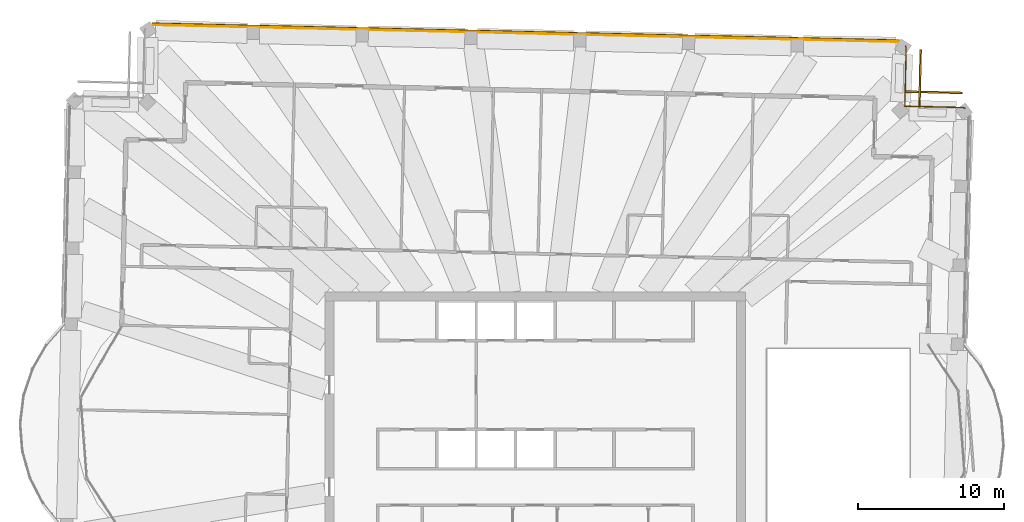
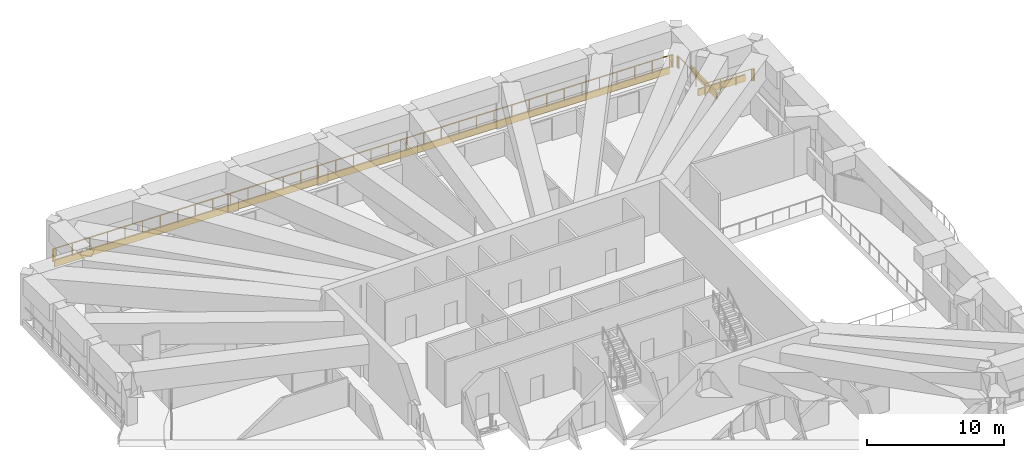
# One storey, part 21 of 21: 3 coverings, 2 railings.
"""IFC4 building model written with IfcOpenShell, lengths in metres."""

from ifc_helpers import new_model, si_unit, direction, frame, frame_2d, origin, origin_2d, place, context, subcontext, project, spatial, rectangle, extrude, material, layer, layer_set, type_object, element, save


model = new_model("IFC4")

# Units and contexts
model_context = context("Model", 3, precision=1e-05, world=origin(), true_north=direction((0.0, 1.0)))
body_context = subcontext(model_context, "Body", "Model", "MODEL_VIEW")
ifc_project = project(units=[si_unit("LENGTHUNIT", "METRE"), si_unit("AREAUNIT", "SQUARE_METRE"), si_unit("VOLUMEUNIT", "CUBIC_METRE"), si_unit("PLANEANGLEUNIT", "RADIAN"), si_unit("MASSUNIT", "GRAM", prefix="KILO")], contexts=[model_context])

# Site, building, storey
site_placement = place(None, origin())
site = spatial("IfcSite", under=ifc_project, at=site_placement, CompositionType="ELEMENT")
building_placement = place(site_placement, origin())
building = spatial("IfcBuilding", under=site, at=building_placement, Name="Mangrove Gate Tower", CompositionType="ELEMENT")
storey_placement = place(building_placement, frame((0.0, 0.0, 329.699951171875)))
storey = spatial("IfcBuildingStorey", under=building, at=storey_placement, Name="L84", CompositionType="ELEMENT", Elevation=329.699951171875)

# Railings
ifc_material_1 = material(Name="Stainless steel grade 316 with laminated glass infill", Category="steel")
railing_type = type_object("IfcRailingType", Name="Balcony guard 1100", PredefinedType="GUARDRAIL", material=ifc_material_1)
railing_1_placement = place(storey_placement, frame((-26.487060546875, 29.672119140625, 0.0)))
element("IfcRailing", 1, at=railing_1_placement, inside=storey, type_object=railing_type, Name="GUARD L84 T1.3", PredefinedType="GUARDRAIL", context=body_context, shape_type="SweptSolid", body=[
    extrude(rectangle(XDim=0.048095703125, YDim=0.048095703125, at=origin_2d()), frame((0.0, 0.0, 1.076171875), z_axis=(0.916361402872, 0.400352069216, 0.0), x_axis=(-0.400352069216, 0.916361402872, 0.0)), (0.0, 0.0, 1.0), 0.02734375),
    extrude(rectangle(XDim=0.048095703125, YDim=0.048095703125, at=origin_2d()), frame((0.025146484375, 0.010986328125, 1.076171875), z_axis=(0.947192919233, 0.320664269532, 0.0), x_axis=(-0.320664269532, 0.947192919233, 0.0)), (0.0, 0.0, 1.0), 0.049560546875),
    extrude(rectangle(XDim=0.048095703125, YDim=0.048095703125, at=origin_2d()), frame((0.072021484375, 0.02685546875, 1.076171875), z_axis=(0.974889210585, 0.222690428814, 0.0), x_axis=(-0.222690428814, 0.974889210585, 0.0)), (0.0, 0.0, 1.0), 0.04931640625),
    extrude(rectangle(XDim=0.048095703125, YDim=0.048095703125, at=origin_2d()), frame((0.1201171875, 0.037841796875, 1.076171875), z_axis=(0.991963300103, 0.126525931136, 0.0), x_axis=(-0.126525931136, 0.991963300103, 0.0)), (0.0, 0.0, 1.0), 0.04833984375),
    extrude(rectangle(XDim=0.048095703125, YDim=0.048095703125, at=origin_2d()), frame((0.16796875, 0.0439453125, 1.076171875), z_axis=(0.999802043895, 0.019896558087, 0.0), x_axis=(-0.019896558087, 0.999802043895, 0.0)), (0.0, 0.0, 1.0), 0.049072265625),
    extrude(rectangle(XDim=0.048095703125, YDim=0.048095703125, at=origin_2d()), frame((0.217041015625, 0.044921875, 1.076171875), z_axis=(0.999742381758, -0.02269735926, 0.0), x_axis=(0.02269735926, 0.999742381758, 0.0)), (0.0, 0.0, 1.0), 51.2001953125),
    extrude(rectangle(XDim=0.048095703125, YDim=0.048095703125, at=origin_2d()), frame((51.404052734375, -1.1171875, 1.076171875), z_axis=(0.998222615791, -0.059595380047, 0.0), x_axis=(0.059595380047, 0.998222615791, 0.0)), (0.0, 0.0, 1.0), 0.049072265625),
    extrude(rectangle(XDim=0.048095703125, YDim=0.048095703125, at=origin_2d()), frame((51.453125, -1.1201171875, 1.076171875), z_axis=(0.986659290868, -0.162798782993, 0.0), x_axis=(0.162798782993, 0.986659290868, 0.0)), (0.0, 0.0, 1.0), 0.049560546875),
    extrude(rectangle(XDim=0.048095703125, YDim=0.048095703125, at=origin_2d()), frame((51.501953125, -1.128173828125, 1.076171875), z_axis=(0.964301134924, -0.264808083684, 0.0), x_axis=(0.264808083684, 0.964301134924, 0.0)), (0.0, 0.0, 1.0), 0.048828125),
    extrude(rectangle(XDim=0.048095703125, YDim=0.048095703125, at=origin_2d()), frame((51.549072265625, -1.14111328125, 1.076171875), z_axis=(0.930510652004, -0.366264831108, 0.0), x_axis=(0.366264831108, 0.930510652004, 0.0)), (0.0, 0.0, 1.0), 0.04931640625),
    extrude(rectangle(XDim=0.048095703125, YDim=0.048095703125, at=origin_2d()), frame((51.594970703125, -1.1591796875, 1.076171875), z_axis=(0.889187463311, -0.457543063646, 0.0), x_axis=(0.457543063646, 0.889187463311, 0.0)), (0.0, 0.0, 1.0), 0.0283203125),
    extrude(rectangle(XDim=0.0419921875, YDim=0.0419921875, at=origin_2d()), origin(), (0.0, 0.0, 1.0), 1.052001953125),
    extrude(rectangle(XDim=0.0419921875, YDim=0.0419921875, at=origin_2d()), frame((0.025146484375, 0.010986328125, 0.0)), (0.0, 0.0, 1.0), 1.052001953125),
    extrude(rectangle(XDim=0.0419921875, YDim=0.0419921875, at=origin_2d()), frame((0.072021484375, 0.02685546875, 0.0)), (0.0, 0.0, 1.0), 1.052001953125),
    extrude(rectangle(XDim=0.0419921875, YDim=0.0419921875, at=origin_2d()), frame((0.1201171875, 0.037841796875, 0.0)), (0.0, 0.0, 1.0), 1.052001953125),
    extrude(rectangle(XDim=0.0419921875, YDim=0.0419921875, at=origin_2d()), frame((0.16796875, 0.0439453125, 0.0)), (0.0, 0.0, 1.0), 1.052001953125),
    extrude(rectangle(XDim=0.0419921875, YDim=0.0419921875, at=origin_2d()), frame((0.217041015625, 0.044921875, 0.0)), (0.0, 0.0, 1.0), 1.052001953125),
    extrude(rectangle(XDim=0.0419921875, YDim=0.0419921875, at=origin_2d()), frame((1.679443359375, 0.01171875, 0.0)), (0.0, 0.0, 1.0), 1.052001953125),
    extrude(rectangle(XDim=0.0419921875, YDim=0.0419921875, at=origin_2d()), frame((3.14208984375, -0.021484375, 0.0)), (0.0, 0.0, 1.0), 1.052001953125),
    extrude(rectangle(XDim=0.0419921875, YDim=0.0419921875, at=origin_2d()), frame((4.6044921875, -0.0546875, 0.0)), (0.0, 0.0, 1.0), 1.052001953125),
    extrude(rectangle(XDim=0.0419921875, YDim=0.0419921875, at=origin_2d()), frame((6.06689453125, -0.087890625, 0.0)), (0.0, 0.0, 1.0), 1.052001953125),
    extrude(rectangle(XDim=0.0419921875, YDim=0.0419921875, at=origin_2d()), frame((7.529541015625, -0.12109375, 0.0)), (0.0, 0.0, 1.0), 1.052001953125),
    extrude(rectangle(XDim=0.0419921875, YDim=0.0419921875, at=origin_2d()), frame((8.991943359375, -0.154296875, 0.0)), (0.0, 0.0, 1.0), 1.052001953125),
    extrude(rectangle(XDim=0.0419921875, YDim=0.0419921875, at=origin_2d()), frame((10.454345703125, -0.1875, 0.0)), (0.0, 0.0, 1.0), 1.052001953125),
    extrude(rectangle(XDim=0.0419921875, YDim=0.0419921875, at=origin_2d()), frame((11.9169921875, -0.220703125, 0.0)), (0.0, 0.0, 1.0), 1.052001953125),
    extrude(rectangle(XDim=0.0419921875, YDim=0.0419921875, at=origin_2d()), frame((13.37939453125, -0.25390625, 0.0)), (0.0, 0.0, 1.0), 1.052001953125),
    extrude(rectangle(XDim=0.0419921875, YDim=0.0419921875, at=origin_2d()), frame((14.841796875, -0.287109375, 0.0)), (0.0, 0.0, 1.0), 1.052001953125),
    extrude(rectangle(XDim=0.0419921875, YDim=0.0419921875, at=origin_2d()), frame((16.304443359375, -0.3203125, 0.0)), (0.0, 0.0, 1.0), 1.052001953125),
    extrude(rectangle(XDim=0.0419921875, YDim=0.0419921875, at=origin_2d()), frame((17.766845703125, -0.353515625, 0.0)), (0.0, 0.0, 1.0), 1.052001953125),
    extrude(rectangle(XDim=0.0419921875, YDim=0.0419921875, at=origin_2d()), frame((19.229248046875, -0.38671875, 0.0)), (0.0, 0.0, 1.0), 1.052001953125),
    extrude(rectangle(XDim=0.0419921875, YDim=0.0419921875, at=origin_2d()), frame((20.69189453125, -0.419921875, 0.0)), (0.0, 0.0, 1.0), 1.052001953125),
    extrude(rectangle(XDim=0.0419921875, YDim=0.0419921875, at=origin_2d()), frame((22.154296875, -0.453125, 0.0)), (0.0, 0.0, 1.0), 1.052001953125),
    extrude(rectangle(XDim=0.0419921875, YDim=0.0419921875, at=origin_2d()), frame((23.61669921875, -0.486328125, 0.0)), (0.0, 0.0, 1.0), 1.052001953125),
    extrude(rectangle(XDim=0.0419921875, YDim=0.0419921875, at=origin_2d()), frame((25.079345703125, -0.51953125, 0.0)), (0.0, 0.0, 1.0), 1.052001953125),
    extrude(rectangle(XDim=0.0419921875, YDim=0.0419921875, at=origin_2d()), frame((26.541748046875, -0.552734375, 0.0)), (0.0, 0.0, 1.0), 1.052001953125),
    extrude(rectangle(XDim=0.0419921875, YDim=0.0419921875, at=origin_2d()), frame((28.00439453125, -0.5859375, 0.0)), (0.0, 0.0, 1.0), 1.052001953125),
    extrude(rectangle(XDim=0.0419921875, YDim=0.0419921875, at=origin_2d()), frame((29.466796875, -0.619140625, 0.0)), (0.0, 0.0, 1.0), 1.052001953125),
    extrude(rectangle(XDim=0.0419921875, YDim=0.0419921875, at=origin_2d()), frame((30.92919921875, -0.65234375, 0.0)), (0.0, 0.0, 1.0), 1.052001953125),
    extrude(rectangle(XDim=0.0419921875, YDim=0.0419921875, at=origin_2d()), frame((32.391845703125, -0.685546875, 0.0)), (0.0, 0.0, 1.0), 1.052001953125),
    extrude(rectangle(XDim=0.0419921875, YDim=0.0419921875, at=origin_2d()), frame((33.854248046875, -0.71875, 0.0)), (0.0, 0.0, 1.0), 1.052001953125),
    extrude(rectangle(XDim=0.0419921875, YDim=0.0419921875, at=origin_2d()), frame((35.316650390625, -0.751953125, 0.0)), (0.0, 0.0, 1.0), 1.052001953125),
    extrude(rectangle(XDim=0.0419921875, YDim=0.0419921875, at=origin_2d()), frame((36.779296875, -0.78515625, 0.0)), (0.0, 0.0, 1.0), 1.052001953125),
    extrude(rectangle(XDim=0.0419921875, YDim=0.0419921875, at=origin_2d()), frame((38.24169921875, -0.818359375, 0.0)), (0.0, 0.0, 1.0), 1.052001953125),
    extrude(rectangle(XDim=0.0419921875, YDim=0.0419921875, at=origin_2d()), frame((39.7041015625, -0.8515625, 0.0)), (0.0, 0.0, 1.0), 1.052001953125),
    extrude(rectangle(XDim=0.0419921875, YDim=0.0419921875, at=origin_2d()), frame((41.166748046875, -0.884765625, 0.0)), (0.0, 0.0, 1.0), 1.052001953125),
    extrude(rectangle(XDim=0.0419921875, YDim=0.0419921875, at=origin_2d()), frame((42.629150390625, -0.91796875, 0.0)), (0.0, 0.0, 1.0), 1.052001953125),
    extrude(rectangle(XDim=0.0419921875, YDim=0.0419921875, at=origin_2d()), frame((44.091552734375, -0.951171875, 0.0)), (0.0, 0.0, 1.0), 1.052001953125),
    extrude(rectangle(XDim=0.0419921875, YDim=0.0419921875, at=origin_2d()), frame((45.55419921875, -0.984375, 0.0)), (0.0, 0.0, 1.0), 1.052001953125),
    extrude(rectangle(XDim=0.0419921875, YDim=0.0419921875, at=origin_2d()), frame((47.0166015625, -1.017578125, 0.0)), (0.0, 0.0, 1.0), 1.052001953125),
    extrude(rectangle(XDim=0.0419921875, YDim=0.0419921875, at=origin_2d()), frame((48.47900390625, -1.05078125, 0.0)), (0.0, 0.0, 1.0), 1.052001953125),
    extrude(rectangle(XDim=0.0419921875, YDim=0.0419921875, at=origin_2d()), frame((49.941650390625, -1.083984375, 0.0)), (0.0, 0.0, 1.0), 1.052001953125),
    extrude(rectangle(XDim=0.0419921875, YDim=0.0419921875, at=origin_2d()), frame((51.404052734375, -1.1171875, 0.0)), (0.0, 0.0, 1.0), 1.052001953125),
    extrude(rectangle(XDim=0.0419921875, YDim=0.0419921875, at=origin_2d()), frame((51.453125, -1.1201171875, 0.0)), (0.0, 0.0, 1.0), 1.052001953125),
    extrude(rectangle(XDim=0.0419921875, YDim=0.0419921875, at=origin_2d()), frame((51.501953125, -1.128173828125, 0.0)), (0.0, 0.0, 1.0), 1.052001953125),
    extrude(rectangle(XDim=0.0419921875, YDim=0.0419921875, at=origin_2d()), frame((51.549072265625, -1.14111328125, 0.0)), (0.0, 0.0, 1.0), 1.052001953125),
    extrude(rectangle(XDim=0.0419921875, YDim=0.0419921875, at=origin_2d()), frame((51.594970703125, -1.1591796875, 0.0)), (0.0, 0.0, 1.0), 1.052001953125),
    extrude(rectangle(XDim=0.0419921875, YDim=0.0419921875, at=origin_2d()), frame((51.6201171875, -1.172119140625, 0.0)), (0.0, 0.0, 1.0), 1.052001953125),
])
railing_2_placement = place(storey_placement, frame((25.361083984375, 28.261962890625, 0.0)))
element("IfcRailing", 2, at=railing_2_placement, inside=storey, type_object=railing_type, Name="GUARD L84 T1.4", PredefinedType="GUARDRAIL", context=body_context, shape_type="SweptSolid", body=[
    extrude(rectangle(XDim=0.048095703125, YDim=0.048095703125, at=origin_2d()), frame((0.0, 0.0, 1.076171875), z_axis=(0.390772844543, -0.920487144923, 0.0), x_axis=(0.920487144923, 0.390772844543, 0.0)), (0.0, 0.0, 1.0), 0.028076171875),
    extrude(rectangle(XDim=0.048095703125, YDim=0.048095703125, at=origin_2d()), frame((0.010986328125, -0.02587890625, 1.076171875), z_axis=(0.325219597367, -0.945638521576, 0.0), x_axis=(0.945638521576, 0.325219597367, 0.0)), (0.0, 0.0, 1.0), 0.048828125),
    extrude(rectangle(XDim=0.048095703125, YDim=0.048095703125, at=origin_2d()), frame((0.02685546875, -0.072021484375, 1.076171875), z_axis=(0.204751888661, -0.978813906772, 0.0), x_axis=(0.978813906772, 0.204751888661, 0.0)), (0.0, 0.0, 1.0), 0.048828125),
    extrude(rectangle(XDim=0.048095703125, YDim=0.048095703125, at=origin_2d()), frame((0.036865234375, -0.119873046875, 1.076171875), z_axis=(0.123427070371, -0.992353645783, 0.0), x_axis=(0.992353645783, 0.123427070371, 0.0)), (0.0, 0.0, 1.0), 0.049560546875),
    extrude(rectangle(XDim=0.048095703125, YDim=0.048095703125, at=origin_2d()), frame((0.04296875, -0.1689453125, 1.076171875), z_axis=(0.039769507669, -0.999208880195, 0.0), x_axis=(0.999208880195, 0.039769507669, 0.0)), (0.0, 0.0, 1.0), 0.049072265625),
    extrude(rectangle(XDim=0.048095703125, YDim=0.048095703125, at=origin_2d()), frame((0.044921875, -0.218017578125, 1.076171875), z_axis=(-0.022605866699, -0.999744454744, 0.0), x_axis=(0.999744454744, -0.022605866699, 0.0)), (0.0, 0.0, 1.0), 3.887939453125),
    extrude(rectangle(XDim=0.048095703125, YDim=0.048095703125, at=origin_2d()), frame((-0.04296875, -4.10498046875, 1.076171875), z_axis=(0.0, -1.0, 0.0), x_axis=(1.0, 0.0, 0.0)), (0.0, 0.0, 1.0), 0.010986328125),
    extrude(rectangle(XDim=0.048095703125, YDim=0.048095703125, at=origin_2d()), frame((-0.04296875, -4.115966796875, 1.076171875), z_axis=(0.996684615823, -0.081362009455, 0.0), x_axis=(0.081362009455, 0.996684615823, 0.0)), (0.0, 0.0, 1.0), 0.011962890625),
    extrude(rectangle(XDim=0.048095703125, YDim=0.048095703125, at=origin_2d()), frame((-0.031005859375, -4.116943359375, 1.076171875), z_axis=(0.999742904504, -0.02267432233, 0.0), x_axis=(0.02267432233, 0.999742904504, 0.0)), (0.0, 0.0, 1.0), 3.886962890625),
    extrude(rectangle(XDim=0.048095703125, YDim=0.048095703125, at=origin_2d()), frame((3.85498046875, -4.205078125, 1.076171875), z_axis=(0.996815278536, -0.079745222283, 0.0), x_axis=(0.079745222283, 0.996815278536, 0.0)), (0.0, 0.0, 1.0), 0.049072265625),
    extrude(rectangle(XDim=0.048095703125, YDim=0.048095703125, at=origin_2d()), frame((3.90380859375, -4.208984375, 1.076171875), z_axis=(0.986789091699, -0.162010149383, 0.0), x_axis=(0.162010149383, 0.986789091699, 0.0)), (0.0, 0.0, 1.0), 0.0498046875),
    extrude(rectangle(XDim=0.048095703125, YDim=0.048095703125, at=origin_2d()), frame((3.952880859375, -4.217041015625, 1.076171875), z_axis=(0.964301134924, -0.264808083684, 0.0), x_axis=(0.264808083684, 0.964301134924, 0.0)), (0.0, 0.0, 1.0), 0.048828125),
    extrude(rectangle(XDim=0.048095703125, YDim=0.048095703125, at=origin_2d()), frame((4.0, -4.22998046875, 1.076171875), z_axis=(0.930510652004, -0.366264831108, 0.0), x_axis=(0.366264831108, 0.930510652004, 0.0)), (0.0, 0.0, 1.0), 0.04931640625),
    extrude(rectangle(XDim=0.048095703125, YDim=0.048095703125, at=origin_2d()), frame((4.0458984375, -4.248046875, 1.076171875), z_axis=(0.901385111422, -0.43301833784, 0.0), x_axis=(0.43301833784, 0.901385111422, 0.0)), (0.0, 0.0, 1.0), 0.027587890625),
    extrude(rectangle(XDim=0.0419921875, YDim=0.0419921875, at=origin_2d()), origin(), (0.0, 0.0, 1.0), 1.052001953125),
    extrude(rectangle(XDim=0.0419921875, YDim=0.0419921875, at=origin_2d()), frame((0.010986328125, -0.02587890625, 0.0)), (0.0, 0.0, 1.0), 1.052001953125),
    extrude(rectangle(XDim=0.0419921875, YDim=0.0419921875, at=origin_2d()), frame((0.02685546875, -0.072021484375, 0.0)), (0.0, 0.0, 1.0), 1.052001953125),
    extrude(rectangle(XDim=0.0419921875, YDim=0.0419921875, at=origin_2d()), frame((0.036865234375, -0.119873046875, 0.0)), (0.0, 0.0, 1.0), 1.052001953125),
    extrude(rectangle(XDim=0.0419921875, YDim=0.0419921875, at=origin_2d()), frame((0.04296875, -0.1689453125, 0.0)), (0.0, 0.0, 1.0), 1.052001953125),
    extrude(rectangle(XDim=0.0419921875, YDim=0.0419921875, at=origin_2d()), frame((0.044921875, -0.218017578125, 0.0)), (0.0, 0.0, 1.0), 1.052001953125),
    extrude(rectangle(XDim=0.0419921875, YDim=0.0419921875, at=origin_2d()), frame((0.015625, -1.513671875, 0.0)), (0.0, 0.0, 1.0), 1.052001953125),
    extrude(rectangle(XDim=0.0419921875, YDim=0.0419921875, at=origin_2d()), frame((-0.013671875, -2.809326171875, 0.0)), (0.0, 0.0, 1.0), 1.052001953125),
    extrude(rectangle(XDim=0.0419921875, YDim=0.0419921875, at=origin_2d()), frame((-0.04296875, -4.10498046875, 0.0)), (0.0, 0.0, 1.0), 1.052001953125),
    extrude(rectangle(XDim=0.0419921875, YDim=0.0419921875, at=origin_2d()), frame((-0.04296875, -4.115966796875, 0.0)), (0.0, 0.0, 1.0), 1.052001953125),
    extrude(rectangle(XDim=0.0419921875, YDim=0.0419921875, at=origin_2d()), frame((-0.031005859375, -4.116943359375, 0.0)), (0.0, 0.0, 1.0), 1.052001953125),
    extrude(rectangle(XDim=0.0419921875, YDim=0.0419921875, at=origin_2d()), frame((1.264404296875, -4.146240234375, 0.0)), (0.0, 0.0, 1.0), 1.052001953125),
    extrude(rectangle(XDim=0.0419921875, YDim=0.0419921875, at=origin_2d()), frame((2.5595703125, -4.17578125, 0.0)), (0.0, 0.0, 1.0), 1.052001953125),
    extrude(rectangle(XDim=0.0419921875, YDim=0.0419921875, at=origin_2d()), frame((3.85498046875, -4.205078125, 0.0)), (0.0, 0.0, 1.0), 1.052001953125),
    extrude(rectangle(XDim=0.0419921875, YDim=0.0419921875, at=origin_2d()), frame((3.90380859375, -4.208984375, 0.0)), (0.0, 0.0, 1.0), 1.052001953125),
    extrude(rectangle(XDim=0.0419921875, YDim=0.0419921875, at=origin_2d()), frame((3.952880859375, -4.217041015625, 0.0)), (0.0, 0.0, 1.0), 1.052001953125),
    extrude(rectangle(XDim=0.0419921875, YDim=0.0419921875, at=origin_2d()), frame((4.0, -4.22998046875, 0.0)), (0.0, 0.0, 1.0), 1.052001953125),
    extrude(rectangle(XDim=0.0419921875, YDim=0.0419921875, at=origin_2d()), frame((4.0458984375, -4.248046875, 0.0)), (0.0, 0.0, 1.0), 1.052001953125),
    extrude(rectangle(XDim=0.0419921875, YDim=0.0419921875, at=origin_2d()), frame((4.07080078125, -4.260009765625, 0.0)), (0.0, 0.0, 1.0), 1.052001953125),
])

# Coverings
ifc_material_2 = material(Name="Limestone", Category="masonry")
ifc_layer_1 = layer(ifc_material_2, 0.0400390625, Name="Limestone cladding")
ifc_material_3 = material(Name="Stainless steel anchors and cavity", Category="steel")
ifc_layer_2 = layer(ifc_material_3, 0.080078125, Name="Fixing cavity")
ifc_layer_set = layer_set([ifc_layer_1, ifc_layer_2], Name="Joint fascia cladding 120")
covering_type = type_object("IfcCoveringType", Name="Joint fascia cladding 120", PredefinedType="CLADDING", material=ifc_layer_set)
covering_1_placement = place(storey_placement, frame((-26.26806640625, 29.798095703125, -0.599853515625), z_axis=(0.0, 0.0, 1.0), x_axis=(0.999742381758, -0.02269735926, 0.0)))
element("IfcCovering", 3, at=covering_1_placement, inside=storey, type_object=covering_type, Name="STONE FASCIA L84 TB111-3.1", PredefinedType="CLADDING", context=body_context, shape_type="SweptSolid", body=[
    extrude(rectangle(XDim=51.2001953125, YDim=0.1201171875, at=frame_2d((25.60009765625, 0.0))), origin(), (0.0, 0.0, 1.0), 0.599853515625),
])
covering_2_placement = place(storey_placement, frame((26.406005859375, 28.02099609375, -0.599853515625), z_axis=(0.0, 0.0, 1.0), x_axis=(-0.02288198647, -0.999738173071, 0.0)))
element("IfcCovering", 4, at=covering_2_placement, inside=storey, type_object=covering_type, Name="STONE FASCIA L84 TB111-4.1", PredefinedType="CLADDING", context=body_context, shape_type="SweptSolid", body=[
    extrude(rectangle(XDim=3.93701171875, YDim=0.1201171875, at=frame_2d((1.968505859375, 0.0))), origin(), (0.0, 0.0, 1.0), 0.599853515625),
])
covering_3_placement = place(storey_placement, frame((25.302001953125, 25.14599609375, -0.599853515625), z_axis=(0.0, 0.0, 1.0), x_axis=(0.999738302894, -0.022876313641, 0.0)))
element("IfcCovering", 5, at=covering_3_placement, inside=storey, type_object=covering_type, Name="STONE FASCIA L84 TB111-4.2", PredefinedType="CLADDING", context=body_context, shape_type="SweptSolid", body=[
    extrude(rectangle(XDim=3.93798828125, YDim=0.1201171875, at=frame_2d((1.968994140625, 0.0))), origin(), (0.0, 0.0, 1.0), 0.599853515625),
])

save(model, "model.ifc")
